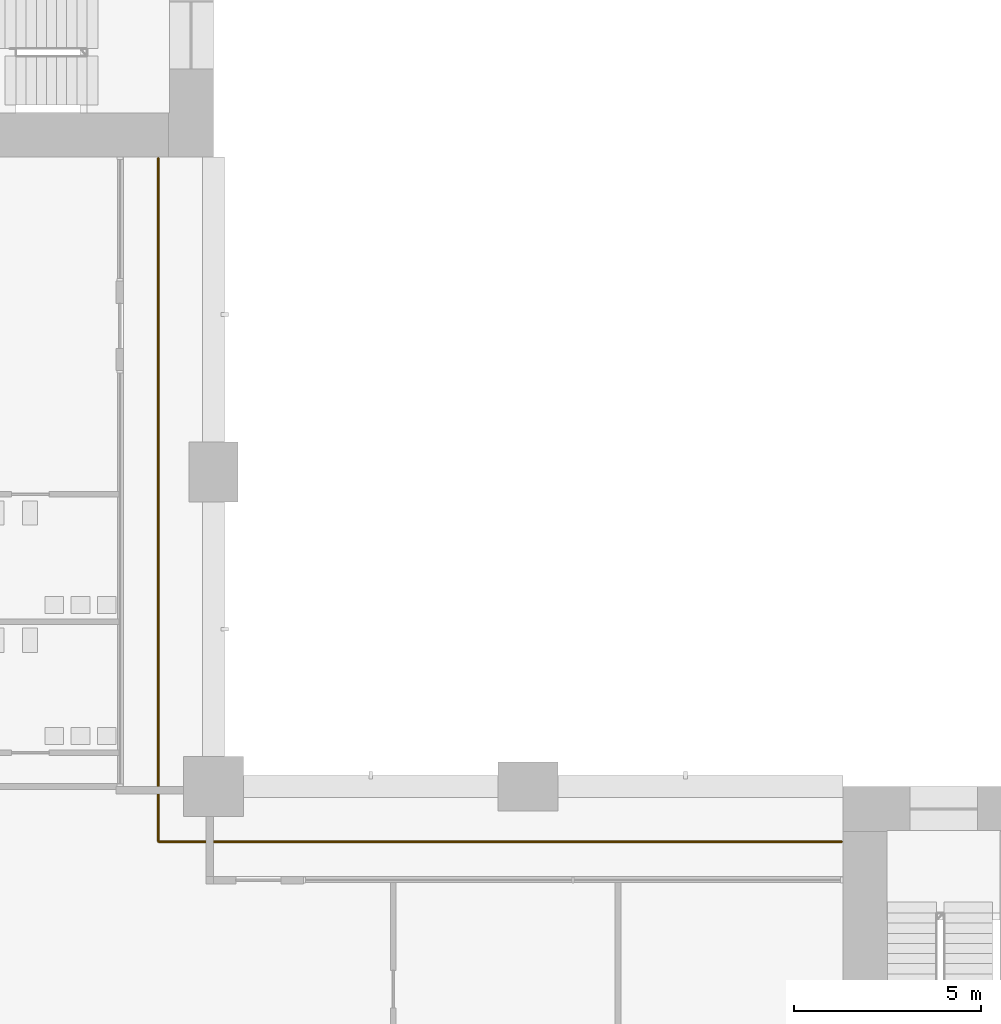
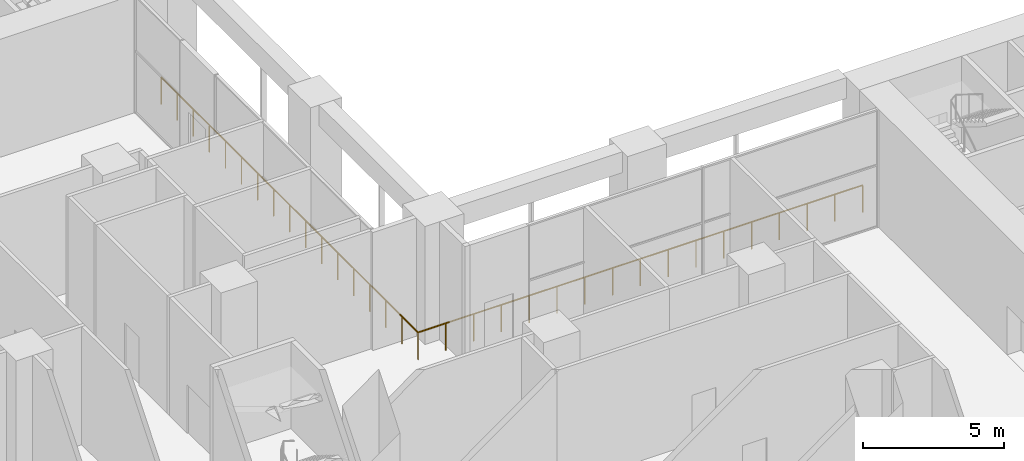
# One storey, part 29 of 32: 1 railing.
"""IFC4 building model written with IfcOpenShell, lengths in metres."""

from ifc_helpers import new_model, si_unit, direction, frame, origin, origin_2d, place, context, subcontext, project, spatial, circle, extrude, material, type_object, element, save


model = new_model("IFC4")

# Units and contexts
model_context = context("Model", 3, precision=1e-05, world=origin(), true_north=direction((0.0, 1.0)))
body_context = subcontext(model_context, "Body", "Model", "MODEL_VIEW")
ifc_project = project(units=[si_unit("LENGTHUNIT", "METRE"), si_unit("AREAUNIT", "SQUARE_METRE"), si_unit("VOLUMEUNIT", "CUBIC_METRE"), si_unit("PLANEANGLEUNIT", "RADIAN"), si_unit("MASSUNIT", "GRAM", prefix="KILO")], contexts=[model_context])

# Site, building, storey
site_placement = place(None, origin())
site = spatial("IfcSite", under=ifc_project, at=site_placement, CompositionType="ELEMENT")
building_placement = place(site_placement, origin())
building = spatial("IfcBuilding", under=site, at=building_placement, Name="Vermilion Gate Residences", CompositionType="ELEMENT")
storey_placement = place(building_placement, frame((0.0, 0.0, 19.800048828125)))
storey = spatial("IfcBuildingStorey", under=building, at=storey_placement, Name="L03", CompositionType="ELEMENT", Elevation=19.800048828125)

# Railing
ifc_material = material(Name="Stainless steel and toughened glass", Category="steel")
railing_type = type_object("IfcRailingType", Name="LOGGIA GUARD STEEL AND GLASS 1200", PredefinedType="GUARDRAIL", material=ifc_material)
railing_placement = place(storey_placement, frame((41.97802734375, 23.72509765625, 0.0)))
element("IfcRailing", 1, at=railing_placement, inside=storey, type_object=railing_type, Name="Loggia guard", PredefinedType="GUARDRAIL", context=body_context, shape_type="SweptSolid", body=[
    extrude(circle(Radius=0.030029296875, at=origin_2d()), frame((0.0, 0.0, 1.169921875), z_axis=(-1.0, 0.0, 0.0), x_axis=(0.0, -1.0, 0.0)), (0.0, 0.0, 1.0), 18.2529296875),
    extrude(circle(Radius=0.030029296875, at=origin_2d()), frame((-18.2529296875, 0.0, 1.169921875), z_axis=(0.0, 1.0, 0.0), x_axis=(-1.0, 0.0, 0.0)), (0.0, 0.0, 1.0), 18.2529296875),
    extrude(circle(Radius=0.02490234375, at=origin_2d()), origin(), (0.0, 0.0, 1.0), 1.139892578125),
    extrude(circle(Radius=0.02490234375, at=origin_2d()), frame((-1.140869140625, 0.0, 0.0)), (0.0, 0.0, 1.0), 1.139892578125),
    extrude(circle(Radius=0.02490234375, at=origin_2d()), frame((-2.28173828125, 0.0, 0.0)), (0.0, 0.0, 1.0), 1.139892578125),
    extrude(circle(Radius=0.02490234375, at=origin_2d()), frame((-3.42236328125, 0.0, 0.0)), (0.0, 0.0, 1.0), 1.139892578125),
    extrude(circle(Radius=0.02490234375, at=origin_2d()), frame((-4.563232421875, 0.0, 0.0)), (0.0, 0.0, 1.0), 1.139892578125),
    extrude(circle(Radius=0.02490234375, at=origin_2d()), frame((-5.7041015625, 0.0, 0.0)), (0.0, 0.0, 1.0), 1.139892578125),
    extrude(circle(Radius=0.02490234375, at=origin_2d()), frame((-6.8447265625, 0.0, 0.0)), (0.0, 0.0, 1.0), 1.139892578125),
    extrude(circle(Radius=0.02490234375, at=origin_2d()), frame((-7.985595703125, 0.0, 0.0)), (0.0, 0.0, 1.0), 1.139892578125),
    extrude(circle(Radius=0.02490234375, at=origin_2d()), frame((-9.12646484375, 0.0, 0.0)), (0.0, 0.0, 1.0), 1.139892578125),
    extrude(circle(Radius=0.02490234375, at=origin_2d()), frame((-10.267333984375, 0.0, 0.0)), (0.0, 0.0, 1.0), 1.139892578125),
    extrude(circle(Radius=0.02490234375, at=origin_2d()), frame((-11.408203125, 0.0, 0.0)), (0.0, 0.0, 1.0), 1.139892578125),
    extrude(circle(Radius=0.02490234375, at=origin_2d()), frame((-12.548828125, 0.0, 0.0)), (0.0, 0.0, 1.0), 1.139892578125),
    extrude(circle(Radius=0.02490234375, at=origin_2d()), frame((-13.689697265625, 0.0, 0.0)), (0.0, 0.0, 1.0), 1.139892578125),
    extrude(circle(Radius=0.02490234375, at=origin_2d()), frame((-14.83056640625, 0.0, 0.0)), (0.0, 0.0, 1.0), 1.139892578125),
    extrude(circle(Radius=0.02490234375, at=origin_2d()), frame((-15.97119140625, 0.0, 0.0)), (0.0, 0.0, 1.0), 1.139892578125),
    extrude(circle(Radius=0.02490234375, at=origin_2d()), frame((-17.112060546875, 0.0, 0.0)), (0.0, 0.0, 1.0), 1.139892578125),
    extrude(circle(Radius=0.02490234375, at=origin_2d()), frame((-18.2529296875, 0.0, 0.0)), (0.0, 0.0, 1.0), 1.139892578125),
    extrude(circle(Radius=0.02490234375, at=origin_2d()), frame((-18.2529296875, 1.140869140625, 0.0)), (0.0, 0.0, 1.0), 1.139892578125),
    extrude(circle(Radius=0.02490234375, at=origin_2d()), frame((-18.2529296875, 2.28173828125, 0.0)), (0.0, 0.0, 1.0), 1.139892578125),
    extrude(circle(Radius=0.02490234375, at=origin_2d()), frame((-18.2529296875, 3.42236328125, 0.0)), (0.0, 0.0, 1.0), 1.139892578125),
    extrude(circle(Radius=0.02490234375, at=origin_2d()), frame((-18.2529296875, 4.563232421875, 0.0)), (0.0, 0.0, 1.0), 1.139892578125),
    extrude(circle(Radius=0.02490234375, at=origin_2d()), frame((-18.2529296875, 5.7041015625, 0.0)), (0.0, 0.0, 1.0), 1.139892578125),
    extrude(circle(Radius=0.02490234375, at=origin_2d()), frame((-18.2529296875, 6.8447265625, 0.0)), (0.0, 0.0, 1.0), 1.139892578125),
    extrude(circle(Radius=0.02490234375, at=origin_2d()), frame((-18.2529296875, 7.985595703125, 0.0)), (0.0, 0.0, 1.0), 1.139892578125),
    extrude(circle(Radius=0.02490234375, at=origin_2d()), frame((-18.2529296875, 9.12646484375, 0.0)), (0.0, 0.0, 1.0), 1.139892578125),
    extrude(circle(Radius=0.02490234375, at=origin_2d()), frame((-18.2529296875, 10.267333984375, 0.0)), (0.0, 0.0, 1.0), 1.139892578125),
    extrude(circle(Radius=0.02490234375, at=origin_2d()), frame((-18.2529296875, 11.408203125, 0.0)), (0.0, 0.0, 1.0), 1.139892578125),
    extrude(circle(Radius=0.02490234375, at=origin_2d()), frame((-18.2529296875, 12.548828125, 0.0)), (0.0, 0.0, 1.0), 1.139892578125),
    extrude(circle(Radius=0.02490234375, at=origin_2d()), frame((-18.2529296875, 13.689697265625, 0.0)), (0.0, 0.0, 1.0), 1.139892578125),
    extrude(circle(Radius=0.02490234375, at=origin_2d()), frame((-18.2529296875, 14.83056640625, 0.0)), (0.0, 0.0, 1.0), 1.139892578125),
    extrude(circle(Radius=0.02490234375, at=origin_2d()), frame((-18.2529296875, 15.97119140625, 0.0)), (0.0, 0.0, 1.0), 1.139892578125),
    extrude(circle(Radius=0.02490234375, at=origin_2d()), frame((-18.2529296875, 17.112060546875, 0.0)), (0.0, 0.0, 1.0), 1.139892578125),
    extrude(circle(Radius=0.02490234375, at=origin_2d()), frame((-18.2529296875, 18.2529296875, 0.0)), (0.0, 0.0, 1.0), 1.139892578125),
])

save(model, "model.ifc")
